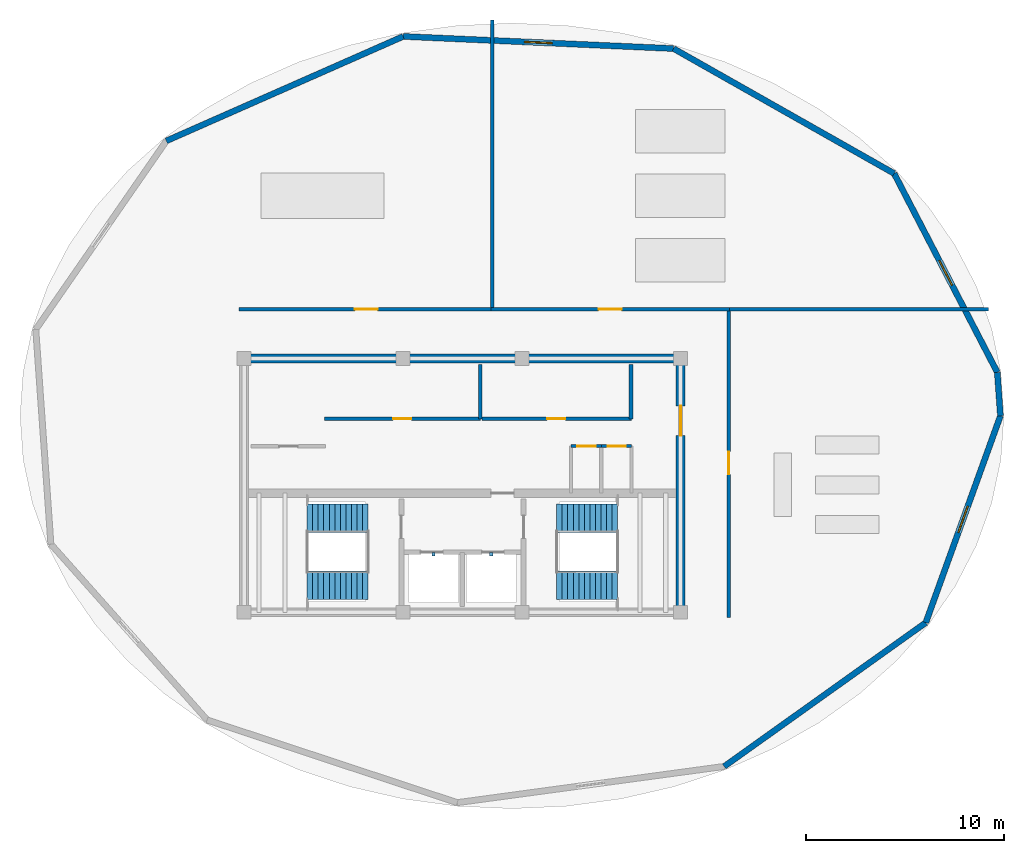
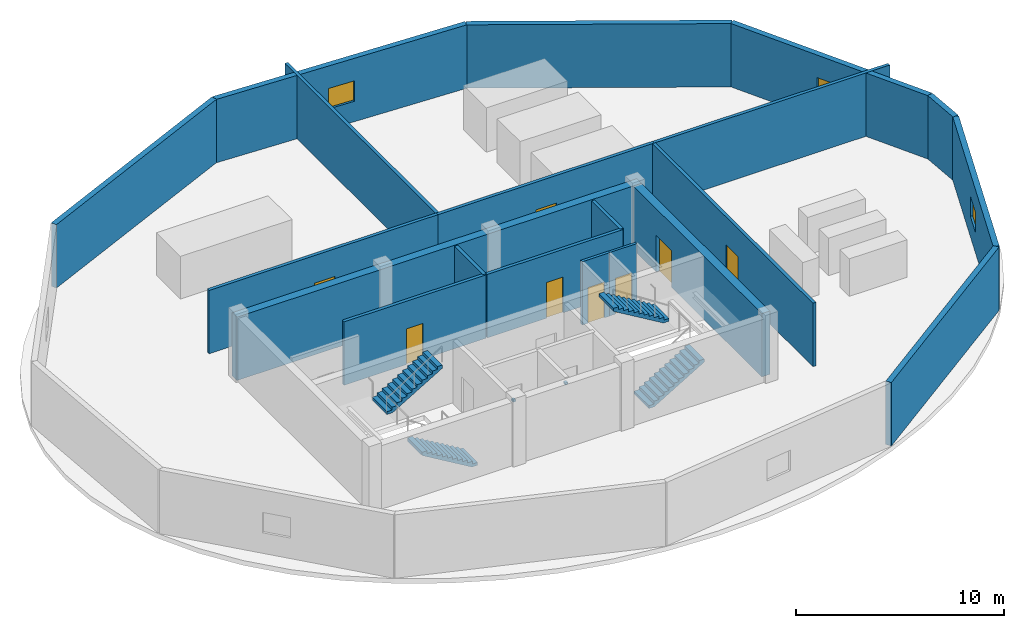
# One storey, part 2 of 4: 20 walls, 8 doors, 4 stair flights, 3 windows, 2 discrete accessories, 11 openings, 2 elements without a shape of their own.
"""IFC4 building model written with IfcOpenShell, lengths in metres."""

from ifc_helpers import new_model, si_unit, direction, frame, frame_2d, origin, origin_2d, place, context, subcontext, project, spatial, polyline, rectangle, outline, extrude, material, layer, layer_set, type_object, element, fill, aggregate, save


model = new_model("IFC4")

# Units and contexts
model_context = context("Model", 3, precision=1e-05, world=origin(), true_north=direction((0.0, 1.0)))
body_context = subcontext(model_context, "Body", "Model", "MODEL_VIEW")
ifc_project = project(units=[si_unit("LENGTHUNIT", "METRE"), si_unit("AREAUNIT", "SQUARE_METRE"), si_unit("VOLUMEUNIT", "CUBIC_METRE"), si_unit("PLANEANGLEUNIT", "RADIAN"), si_unit("MASSUNIT", "GRAM", prefix="KILO")], contexts=[model_context])

# Site, building, storey
site_placement = place(None, origin())
site = spatial("IfcSite", under=ifc_project, at=site_placement, CompositionType="ELEMENT")
building_placement = place(site_placement, origin())
building = spatial("IfcBuilding", under=site, at=building_placement, Name="Kazevale Care Tower and Concert Hall", CompositionType="ELEMENT")
storey_placement = place(building_placement, frame((0.0, 0.0, 300.800048828125)))
storey = spatial("IfcBuildingStorey", under=building, at=storey_placement, Name="L79", CompositionType="ELEMENT", Elevation=300.800048828125)

# Wall, opening, door
ifc_material_1 = material(Name="Acoustic Gypsum on Steel Stud", Category="steel")
ifc_layer_1 = layer(ifc_material_1, 0.139892578125)
ifc_layer_set_1 = layer_set([ifc_layer_1], Name="Acoustic Gypsum on Steel Stud")
wall_type_1 = type_object("IfcWallType", Name="Acoustic Care & Suite Partition 140", PredefinedType="PARTITIONING", material=ifc_layer_set_1)
wall_1_placement = place(storey_placement, frame((40.0, 31.97998046875, 0.0), z_axis=(0.0, 0.0, 1.0), x_axis=(1.0, 0.0, 0.0)))
wall_1 = element("IfcWall", 1, at=wall_1_placement, inside=storey, type_object=wall_type_1, Name="wall:L79:ka_en2", PredefinedType="PARTITIONING", context=body_context, shape_type="SweptSolid", body=[
    extrude(rectangle(XDim=1.52001953125, YDim=0.139892578125, at=frame_2d((0.760009765625, 0.0))), origin(), (0.0, 0.0, 1.0), 3.719970703125),
])
opening_1_placement = place(wall_1_placement, frame((0.320068359375, 0.0, 0.0)))
opening_1 = element("IfcOpeningElement", 2, at=opening_1_placement, cuts=wall_1, Name="Opening ID-900", PredefinedType="OPENING", context=body_context, shape_type="SweptSolid", body=[
    extrude(rectangle(XDim=0.919921875, YDim=2.10009765625, at=frame_2d((0.4599609375, 1.050048828125))), frame((0.0, 0.079833984375, 0.0), z_axis=(0.0, -1.0, 0.0), x_axis=(1.0, 0.0, 0.0)), (0.0, 0.0, 1.0), 0.159912109375),
])
ifc_material_2 = material(Name="Oak Timber Fire Leaf", Category="wood")
door_type_1 = type_object("IfcDoorType", Name="Bathroom & Service Door 920x2100", OperationType="NOTDEFINED", PredefinedType="DOOR", material=ifc_material_2)
door_1_placement = place(opening_1_placement, origin())
door_1 = element("IfcDoor", 3, at=door_1_placement, inside=storey, type_object=door_type_1, Name="door:L79:d_kae2", OperationType="SINGLE_SWING_RIGHT", OverallHeight=2.10009765625, OverallWidth=0.919921875, PredefinedType="DOOR", context=body_context, shape_type="SweptSolid", body=[
    extrude(rectangle(XDim=0.919921875, YDim=2.10009765625, at=frame_2d((0.4599609375, 1.050048828125))), frame((0.0, 0.02490234375, 0.0), z_axis=(0.0, -1.0, 0.0), x_axis=(1.0, 0.0, 0.0)), (0.0, 0.0, 1.0), 0.050048828125),
])
fill(opening_1, door_1)

# Wall
ifc_material_3 = material(Name="Concrete C50", Category="concrete")
ifc_layer_2 = layer(ifc_material_3, 0.449951171875)
ifc_layer_set_2 = layer_set([ifc_layer_2], Name="Concrete C50")
wall_type_2 = type_object("IfcWallType", Name="Core Shear Wall 450 C50", PredefinedType="SHEAR", material=ifc_layer_set_2)
wall_2_placement = place(storey_placement, frame((21.77490234375, 36.39990234375, 0.0), z_axis=(0.0, 0.0, 1.0), x_axis=(1.0, 0.0, 0.0)))
element("IfcWall", 4, at=wall_2_placement, inside=storey, type_object=wall_type_2, Name="wall:L79:core:N", PredefinedType="SHEAR", context=body_context, shape_type="SweptSolid", body=[
    extrude(rectangle(XDim=22.4501953125, YDim=0.449951171875, at=frame_2d((11.22509765625, 0.0))), origin(), (0.0, 0.0, 1.0), 3.719970703125),
])

# Wall, opening, door
wall_3_placement = place(storey_placement, frame((44.0, 23.824951171875, 0.0), z_axis=(0.0, 0.0, 1.0), x_axis=(0.0, 1.0, 0.0)))
wall_3 = element("IfcWall", 5, at=wall_3_placement, inside=storey, type_object=wall_type_2, Name="wall:L79:core:E", PredefinedType="SHEAR", context=body_context, shape_type="SweptSolid", body=[
    extrude(rectangle(XDim=12.35009765625, YDim=0.449951171875, at=frame_2d((6.175048828125, 0.0))), origin(), (0.0, 0.0, 1.0), 3.719970703125),
])
opening_2_placement = place(wall_3_placement, frame((8.675048828125, 0.0, 0.0)))
opening_2 = element("IfcOpeningElement", 6, at=opening_2_placement, cuts=wall_3, Name="Opening FD-60D", PredefinedType="OPENING", context=body_context, shape_type="SweptSolid", body=[
    extrude(rectangle(XDim=1.5, YDim=2.14990234375, at=frame_2d((0.75, 1.074951171875))), frame((0.0, 0.23486328125, 0.0), z_axis=(0.0, -1.0, 0.0), x_axis=(1.0, 0.0, 0.0)), (0.0, 0.0, 1.0), 0.469970703125),
])
door_type_2 = type_object("IfcDoorType", Name="Double Lobby & Auditorium Fire Door 1500x2150", OperationType="NOTDEFINED", PredefinedType="DOOR", material=ifc_material_2)
door_2_placement = place(opening_2_placement, origin())
door_2 = element("IfcDoor", 7, at=door_2_placement, inside=storey, type_object=door_type_2, Name="door:L79:core_east_out", OperationType="DOUBLE_DOOR_SINGLE_SWING", OverallHeight=2.14990234375, OverallWidth=1.5, PredefinedType="DOOR", context=body_context, shape_type="SweptSolid", body=[
    extrude(rectangle(XDim=1.5, YDim=2.14990234375, at=frame_2d((0.75, 1.074951171875))), frame((0.0, 0.02490234375, 0.0), z_axis=(0.0, -1.0, 0.0), x_axis=(1.0, 0.0, 0.0)), (0.0, 0.0, 1.0), 0.050048828125),
])
fill(opening_2, door_2)

# Wall, opening, window
ifc_material_4 = material(Name="Concrete C40 with Honed Limestone Cladding", Category="masonry")
ifc_layer_3 = layer(ifc_material_4, 0.300048828125)
ifc_layer_set_3 = layer_set([ifc_layer_3], Name="Concrete C40 with Honed Limestone Cladding")
wall_type_3 = type_object("IfcWallType", Name="Crown Drum Louvred Stone Wall 300", PredefinedType="STANDARD", material=ifc_layer_set_3)
wall_4_placement = place(storey_placement, frame((60.1201171875, 33.5, 0.0), z_axis=(0.0, 0.0, 1.0), x_axis=(-0.339587618367, -0.940574425259, 0.0)))
wall_4 = element("IfcWall", 8, at=wall_4_placement, inside=storey, type_object=wall_type_3, Name="wall:L79:drum:01", PredefinedType="STANDARD", context=body_context, shape_type="SweptSolid", body=[
    extrude(rectangle(XDim=11.08154296875, YDim=0.300048828125, at=frame_2d((5.540771484375, 0.0))), origin(), (0.0, 0.0, 1.0), 3.719970703125),
])
opening_3_placement = place(wall_4_placement, frame((4.841064453125, 0.0, 1.199951171875)))
opening_3 = element("IfcOpeningElement", 9, at=opening_3_placement, cuts=wall_4, Name="Opening WIN-4", PredefinedType="OPENING", context=body_context, shape_type="SweptSolid", body=[
    extrude(rectangle(XDim=1.39990234375, YDim=1.199951171875, at=frame_2d((0.699951171875, 0.60009765625))), frame((0.0, 0.159912109375, 0.0), z_axis=(0.0, -1.0, 0.0), x_axis=(1.0, 0.0, 0.0)), (0.0, 0.0, 1.0), 0.320068359375),
])
ifc_material_5 = material(Name="Aluminium 6063-T6", Category="aluminium")
window_type = type_object("IfcWindowType", Name="Crown Plant Louvred Window 1400x1200", PartitioningType="SINGLE_PANEL", PredefinedType="WINDOW", material=ifc_material_5)
window_1_placement = place(opening_3_placement, origin())
window_1 = element("IfcWindow", 10, at=window_1_placement, inside=storey, type_object=window_type, Name="win:L79:drum:01", OverallHeight=1.199951171875, OverallWidth=1.39990234375, PartitioningType="SINGLE_PANEL", PredefinedType="WINDOW", context=body_context, shape_type="SweptSolid", body=[
    extrude(rectangle(XDim=1.39990234375, YDim=1.199951171875, at=frame_2d((0.699951171875, 0.60009765625))), frame((0.0, 0.030029296875, 0.0), z_axis=(0.0, -1.0, 0.0), x_axis=(1.0, 0.0, 0.0)), (0.0, 0.0, 1.0), 0.06005859375),
])
fill(opening_3, window_1)

# Walls
wall_5_placement = place(storey_placement, frame((56.35693359375, 23.076904296875, 0.0), z_axis=(0.0, 0.0, 1.0), x_axis=(-0.814111303181, -0.580708865123, 0.0)))
element("IfcWall", 11, at=wall_5_placement, inside=storey, type_object=wall_type_3, Name="wall:L79:drum:02", PredefinedType="STANDARD", context=body_context, shape_type="SweptSolid", body=[
    extrude(rectangle(XDim=12.48095703125, YDim=0.300048828125, at=frame_2d((6.240478515625, 0.0))), origin(), (0.0, 0.0, 1.0), 3.719970703125),
])
wall_6_placement = place(storey_placement, frame((18.075927734375, 47.360107421875, 0.0), z_axis=(0.0, 0.0, 1.0), x_axis=(0.914943001047, 0.40358308294, 0.0)))
element("IfcWall", 12, at=wall_6_placement, inside=storey, type_object=wall_type_3, Name="wall:L79:drum:08", PredefinedType="STANDARD", context=body_context, shape_type="SweptSolid", body=[
    extrude(rectangle(XDim=13.0478515625, YDim=0.300048828125, at=frame_2d((6.52392578125, 0.0))), origin(), (0.0, 0.0, 1.0), 3.719970703125),
])

# Wall, opening, window
wall_7_placement = place(storey_placement, frame((30.013916015625, 52.6259765625, 0.0), z_axis=(0.0, 0.0, 1.0), x_axis=(0.998996211569, -0.04479474602, 0.0)))
wall_7 = element("IfcWall", 13, at=wall_7_placement, inside=storey, type_object=wall_type_3, Name="wall:L79:drum:09", PredefinedType="STANDARD", context=body_context, shape_type="SweptSolid", body=[
    extrude(rectangle(XDim=13.641845703125, YDim=0.300048828125, at=frame_2d((6.82080078125, 0.0))), origin(), (0.0, 0.0, 1.0), 3.719970703125),
])
opening_4_placement = place(wall_7_placement, frame((6.12109375, 0.0, 1.199951171875)))
opening_4 = element("IfcOpeningElement", 14, at=opening_4_placement, cuts=wall_7, Name="Opening WIN-4", PredefinedType="OPENING", context=body_context, shape_type="SweptSolid", body=[
    extrude(rectangle(XDim=1.39990234375, YDim=1.199951171875, at=frame_2d((0.699951171875, 0.60009765625))), frame((0.0, 0.159912109375, 0.0), z_axis=(0.0, -1.0, 0.0), x_axis=(1.0, 0.0, 0.0)), (0.0, 0.0, 1.0), 0.320068359375),
])
window_2_placement = place(opening_4_placement, origin())
window_2 = element("IfcWindow", 15, at=window_2_placement, inside=storey, type_object=window_type, Name="win:L79:drum:09", OverallHeight=1.199951171875, OverallWidth=1.39990234375, PartitioningType="SINGLE_PANEL", PredefinedType="WINDOW", context=body_context, shape_type="SweptSolid", body=[
    extrude(rectangle(XDim=1.39990234375, YDim=1.199951171875, at=frame_2d((0.699951171875, 0.60009765625))), frame((0.0, 0.030029296875, 0.0), z_axis=(0.0, -1.0, 0.0), x_axis=(1.0, 0.0, 0.0)), (0.0, 0.0, 1.0), 0.06005859375),
])
fill(opening_4, window_2)

# Wall
wall_8_placement = place(storey_placement, frame((43.64208984375, 52.014892578125, 0.0), z_axis=(0.0, 0.0, 1.0), x_axis=(0.870169378253, -0.492752730232, 0.0)))
element("IfcWall", 16, at=wall_8_placement, inside=storey, type_object=wall_type_3, Name="wall:L79:drum:10", PredefinedType="STANDARD", context=body_context, shape_type="SweptSolid", body=[
    extrude(rectangle(XDim=12.779052734375, YDim=0.300048828125, at=frame_2d((6.3896484375, 0.0))), origin(), (0.0, 0.0, 1.0), 3.719970703125),
])

# Wall, opening, window
wall_9_placement = place(storey_placement, frame((54.761962890625, 45.718017578125, 0.0), z_axis=(0.0, 0.0, 1.0), x_axis=(0.460623742834, -0.8875954977, 0.0)))
wall_9 = element("IfcWall", 17, at=wall_9_placement, inside=storey, type_object=wall_type_3, Name="wall:L79:drum:11", PredefinedType="STANDARD", context=body_context, shape_type="SweptSolid", body=[
    extrude(rectangle(XDim=11.2958984375, YDim=0.300048828125, at=frame_2d((5.64794921875, 0.0))), origin(), (0.0, 0.0, 1.0), 3.719970703125),
])
opening_5_placement = place(wall_9_placement, frame((4.947998046875, 0.0, 1.199951171875)))
opening_5 = element("IfcOpeningElement", 18, at=opening_5_placement, cuts=wall_9, Name="Opening WIN-4", PredefinedType="OPENING", context=body_context, shape_type="SweptSolid", body=[
    extrude(rectangle(XDim=1.39990234375, YDim=1.199951171875, at=frame_2d((0.699951171875, 0.60009765625))), frame((0.0, 0.159912109375, 0.0), z_axis=(0.0, -1.0, 0.0), x_axis=(1.0, 0.0, 0.0)), (0.0, 0.0, 1.0), 0.320068359375),
])
window_3_placement = place(opening_5_placement, origin())
window_3 = element("IfcWindow", 19, at=window_3_placement, inside=storey, type_object=window_type, Name="win:L79:drum:11", OverallHeight=1.199951171875, OverallWidth=1.39990234375, PartitioningType="SINGLE_PANEL", PredefinedType="WINDOW", context=body_context, shape_type="SweptSolid", body=[
    extrude(rectangle(XDim=1.39990234375, YDim=1.199951171875, at=frame_2d((0.699951171875, 0.60009765625))), frame((0.0, 0.030029296875, 0.0), z_axis=(0.0, -1.0, 0.0), x_axis=(1.0, 0.0, 0.0)), (0.0, 0.0, 1.0), 0.06005859375),
])
fill(opening_5, window_3)

# Wall
wall_10_placement = place(storey_placement, frame((59.965087890625, 35.69189453125, 0.0), z_axis=(0.0, 0.0, 1.0), x_axis=(0.070552198309, -0.997508088846, 0.0)))
element("IfcWall", 20, at=wall_10_placement, inside=storey, type_object=wall_type_3, Name="wall:L79:drum:12", PredefinedType="STANDARD", context=body_context, shape_type="SweptSolid", body=[
    extrude(rectangle(XDim=2.197265625, YDim=0.300048828125, at=frame_2d((1.0986328125, 0.0))), origin(), (0.0, 0.0, 1.0), 3.719970703125),
])

# Wall, opening, door
ifc_material_6 = material(Name="Concrete C40 and Acoustic Gypsum", Category="concrete")
ifc_layer_4 = layer(ifc_material_6, 0.179931640625)
ifc_layer_set_4 = layer_set([ifc_layer_4], Name="Concrete C40 and Acoustic Gypsum")
wall_type_4 = type_object("IfcWallType", Name="Fire-Rated Corridor & Party Wall 180", PredefinedType="PARTITIONING", material=ifc_layer_set_4)
wall_11_placement = place(storey_placement, frame((26.050048828125, 33.35009765625, 0.0), z_axis=(0.0, 0.0, 1.0), x_axis=(1.0, 0.0, 0.0)))
wall_11 = element("IfcWall", 21, at=wall_11_placement, inside=storey, type_object=wall_type_4, Name="wall:L79:c_cps_s", PredefinedType="PARTITIONING", context=body_context, shape_type="SweptSolid", body=[
    extrude(rectangle(XDim=7.869873046875, YDim=0.179931640625, at=frame_2d((3.93505859375, 0.0))), origin(), (0.0, 0.0, 1.0), 3.719970703125),
])
opening_6_placement = place(wall_11_placement, frame((3.4599609375, 0.0, 0.0)))
opening_6 = element("IfcOpeningElement", 22, at=opening_6_placement, cuts=wall_11, Name="Opening ID-900", PredefinedType="OPENING", context=body_context, shape_type="SweptSolid", body=[
    extrude(rectangle(XDim=0.919921875, YDim=2.10009765625, at=frame_2d((0.4599609375, 1.050048828125))), frame((0.0, 0.099853515625, 0.0), z_axis=(0.0, -1.0, 0.0), x_axis=(1.0, 0.0, 0.0)), (0.0, 0.0, 1.0), 0.199951171875),
])
door_3_placement = place(opening_6_placement, origin())
door_3 = element("IfcDoor", 23, at=door_3_placement, inside=storey, type_object=door_type_1, Name="door:L79:d_cps", OperationType="SINGLE_SWING_LEFT", OverallHeight=2.10009765625, OverallWidth=0.919921875, PredefinedType="DOOR", context=body_context, shape_type="SweptSolid", body=[
    extrude(rectangle(XDim=0.919921875, YDim=2.10009765625, at=frame_2d((0.4599609375, 1.050048828125))), frame((0.0, 0.02490234375, 0.0), z_axis=(0.0, -1.0, 0.0), x_axis=(1.0, 0.0, 0.0)), (0.0, 0.0, 1.0), 0.050048828125),
])
fill(opening_6, door_3)

# Wall
wall_12_placement = place(storey_placement, frame((33.89990234375, 33.35009765625, 0.0), z_axis=(0.0, 0.0, 1.0), x_axis=(0.0, 1.0, 0.0)))
element("IfcWall", 24, at=wall_12_placement, inside=storey, type_object=wall_type_4, Name="wall:L79:c_cps_e", PredefinedType="PARTITIONING", context=body_context, shape_type="SweptSolid", body=[
    extrude(rectangle(XDim=2.75, YDim=0.179931640625, at=frame_2d((1.375, 0.0))), origin(), (0.0, 0.0, 1.0), 3.719970703125),
])

# Wall, opening, door
wall_13_placement = place(storey_placement, frame((33.97998046875, 33.35009765625, 0.0), z_axis=(0.0, 0.0, 1.0), x_axis=(1.0, 0.0, 0.0)))
wall_13 = element("IfcWall", 25, at=wall_13_placement, inside=storey, type_object=wall_type_4, Name="wall:L79:c_pma_s", PredefinedType="PARTITIONING", context=body_context, shape_type="SweptSolid", body=[
    extrude(rectangle(XDim=7.5400390625, YDim=0.179931640625, at=frame_2d((3.77001953125, 0.0))), origin(), (0.0, 0.0, 1.0), 3.719970703125),
])
opening_7_placement = place(wall_13_placement, frame((3.294921875, 0.0, 0.0)))
opening_7 = element("IfcOpeningElement", 26, at=opening_7_placement, cuts=wall_13, Name="Opening ID-900", PredefinedType="OPENING", context=body_context, shape_type="SweptSolid", body=[
    extrude(rectangle(XDim=0.919921875, YDim=2.10009765625, at=frame_2d((0.4599609375, 1.050048828125))), frame((0.0, 0.099853515625, 0.0), z_axis=(0.0, -1.0, 0.0), x_axis=(1.0, 0.0, 0.0)), (0.0, 0.0, 1.0), 0.199951171875),
])
door_4_placement = place(opening_7_placement, origin())
door_4 = element("IfcDoor", 27, at=door_4_placement, inside=storey, type_object=door_type_1, Name="door:L79:d_pma", OperationType="SINGLE_SWING_LEFT", OverallHeight=2.10009765625, OverallWidth=0.919921875, PredefinedType="DOOR", context=body_context, shape_type="SweptSolid", body=[
    extrude(rectangle(XDim=0.919921875, YDim=2.10009765625, at=frame_2d((0.4599609375, 1.050048828125))), frame((0.0, 0.02490234375, 0.0), z_axis=(0.0, -1.0, 0.0), x_axis=(1.0, 0.0, 0.0)), (0.0, 0.0, 1.0), 0.050048828125),
])
fill(opening_7, door_4)

# Wall
wall_14_placement = place(storey_placement, frame((41.5, 33.35009765625, 0.0), z_axis=(0.0, 0.0, 1.0), x_axis=(0.0, 1.0, 0.0)))
element("IfcWall", 28, at=wall_14_placement, inside=storey, type_object=wall_type_4, Name="wall:L79:c_pma_e", PredefinedType="PARTITIONING", context=body_context, shape_type="SweptSolid", body=[
    extrude(rectangle(XDim=2.75, YDim=0.179931640625, at=frame_2d((1.375, 0.0))), origin(), (0.0, 0.0, 1.0), 3.719970703125),
])

# Wall, opening, door
wall_15_placement = place(storey_placement, frame((21.7451171875, 38.875, 0.0), z_axis=(0.0, 0.0, 1.0), x_axis=(1.0, 0.0, 0.0)))
wall_15 = element("IfcWall", 29, at=wall_15_placement, inside=storey, type_object=wall_type_4, Name="wall:L79:auto_001", PredefinedType="PARTITIONING", context=body_context, shape_type="SweptSolid", body=[
    extrude(rectangle(XDim=12.81982421875, YDim=0.179931640625, at=frame_2d((6.409912109375, 0.0))), origin(), (0.0, 0.0, 1.0), 3.719970703125),
])
opening_8_placement = place(wall_15_placement, frame((5.8349609375, 0.0, 0.0)))
opening_8 = element("IfcOpeningElement", 30, at=opening_8_placement, cuts=wall_15, Name="Opening FD-90", PredefinedType="OPENING", context=body_context, shape_type="SweptSolid", body=[
    extrude(rectangle(XDim=1.14990234375, YDim=2.10009765625, at=frame_2d((0.574951171875, 1.050048828125))), frame((0.0, 0.099853515625, 0.0), z_axis=(0.0, -1.0, 0.0), x_axis=(1.0, 0.0, 0.0)), (0.0, 0.0, 1.0), 0.199951171875),
])
ifc_material_7 = material(Name="Steel ASTM A572 Gr 50", Category="steel")
door_type_3 = type_object("IfcDoorType", Name="Pressurized Stair & Lobby Fire Door 1150x2100", OperationType="NOTDEFINED", PredefinedType="DOOR", material=ifc_material_7)
door_5_placement = place(opening_8_placement, origin())
door_5 = element("IfcDoor", 31, at=door_5_placement, inside=storey, type_object=door_type_3, Name="door:L79:ad_001", OperationType="SINGLE_SWING_LEFT", OverallHeight=2.10009765625, OverallWidth=1.14990234375, PredefinedType="DOOR", context=body_context, shape_type="SweptSolid", body=[
    extrude(rectangle(XDim=1.14990234375, YDim=2.10009765625, at=frame_2d((0.574951171875, 1.050048828125))), frame((0.0, 0.02490234375, 0.0), z_axis=(0.0, -1.0, 0.0), x_axis=(1.0, 0.0, 0.0)), (0.0, 0.0, 1.0), 0.050048828125),
])
fill(opening_8, door_5)

wall_16_placement = place(storey_placement, frame((34.43505859375, 38.875, 0.0), z_axis=(0.0, 0.0, 1.0), x_axis=(1.0, 0.0, 0.0)))
wall_16 = element("IfcWall", 32, at=wall_16_placement, inside=storey, type_object=wall_type_4, Name="wall:L79:auto_002", PredefinedType="PARTITIONING", context=body_context, shape_type="SweptSolid", body=[
    extrude(rectangle(XDim=12.02001953125, YDim=0.179931640625, at=frame_2d((6.010009765625, 0.0))), origin(), (0.0, 0.0, 1.0), 3.719970703125),
])
opening_9_placement = place(wall_16_placement, frame((5.43505859375, 0.0, 0.0)))
opening_9 = element("IfcOpeningElement", 33, at=opening_9_placement, cuts=wall_16, Name="Opening FD-90", PredefinedType="OPENING", context=body_context, shape_type="SweptSolid", body=[
    extrude(rectangle(XDim=1.14990234375, YDim=2.10009765625, at=frame_2d((0.574951171875, 1.050048828125))), frame((0.0, 0.099853515625, 0.0), z_axis=(0.0, -1.0, 0.0), x_axis=(1.0, 0.0, 0.0)), (0.0, 0.0, 1.0), 0.199951171875),
])
door_6_placement = place(opening_9_placement, origin())
door_6 = element("IfcDoor", 34, at=door_6_placement, inside=storey, type_object=door_type_3, Name="door:L79:ad_002", OperationType="SINGLE_SWING_LEFT", OverallHeight=2.10009765625, OverallWidth=1.14990234375, PredefinedType="DOOR", context=body_context, shape_type="SweptSolid", body=[
    extrude(rectangle(XDim=1.14990234375, YDim=2.10009765625, at=frame_2d((0.574951171875, 1.050048828125))), frame((0.0, 0.02490234375, 0.0), z_axis=(0.0, -1.0, 0.0), x_axis=(1.0, 0.0, 0.0)), (0.0, 0.0, 1.0), 0.050048828125),
])
fill(opening_9, door_6)

wall_17_placement = place(storey_placement, frame((46.425048828125, 38.905029296875, 0.0), z_axis=(0.0, 0.0, 1.0), x_axis=(0.0, -1.0, 0.0)))
wall_17 = element("IfcWall", 35, at=wall_17_placement, inside=storey, type_object=wall_type_4, Name="wall:L79:auto_003", PredefinedType="PARTITIONING", context=body_context, shape_type="SweptSolid", body=[
    extrude(rectangle(XDim=15.56005859375, YDim=0.179931640625, at=frame_2d((7.780029296875, 0.0))), origin(), (0.0, 0.0, 1.0), 3.719970703125),
])
opening_10_placement = place(wall_17_placement, frame((7.205078125, 0.0, 0.0)))
opening_10 = element("IfcOpeningElement", 36, at=opening_10_placement, cuts=wall_17, Name="Opening FD-90", PredefinedType="OPENING", context=body_context, shape_type="SweptSolid", body=[
    extrude(rectangle(XDim=1.14990234375, YDim=2.10009765625, at=frame_2d((0.574951171875, 1.050048828125))), frame((0.0, 0.099853515625, 0.0), z_axis=(0.0, -1.0, 0.0), x_axis=(1.0, 0.0, 0.0)), (0.0, 0.0, 1.0), 0.199951171875),
])
door_7_placement = place(opening_10_placement, origin())
door_7 = element("IfcDoor", 37, at=door_7_placement, inside=storey, type_object=door_type_3, Name="door:L79:ad_003", OperationType="SINGLE_SWING_LEFT", OverallHeight=2.10009765625, OverallWidth=1.14990234375, PredefinedType="DOOR", context=body_context, shape_type="SweptSolid", body=[
    extrude(rectangle(XDim=1.14990234375, YDim=2.10009765625, at=frame_2d((0.574951171875, 1.050048828125))), frame((0.0, 0.02490234375, 0.0), z_axis=(0.0, -1.0, 0.0), x_axis=(1.0, 0.0, 0.0)), (0.0, 0.0, 1.0), 0.050048828125),
])
fill(opening_10, door_7)

# Walls
wall_18_placement = place(storey_placement, frame((34.5, 53.455078125, 0.0), z_axis=(0.0, 0.0, 1.0), x_axis=(0.0, -1.0, 0.0)))
element("IfcWall", 38, at=wall_18_placement, inside=storey, type_object=wall_type_4, Name="wall:L79:auto_004", PredefinedType="PARTITIONING", context=body_context, shape_type="SweptSolid", body=[
    extrude(rectangle(XDim=14.610107421875, YDim=0.179931640625, at=frame_2d((7.30517578125, 0.0))), origin(), (0.0, 0.0, 1.0), 3.719970703125),
])
wall_19_placement = place(storey_placement, frame((59.51708984375, 38.875, 0.0), z_axis=(0.0, 0.0, 1.0), x_axis=(-1.0, 0.0, 0.0)))
element("IfcWall", 39, at=wall_19_placement, inside=storey, type_object=wall_type_4, Name="wall:L79:auto_005", PredefinedType="PARTITIONING", context=body_context, shape_type="SweptSolid", body=[
    extrude(rectangle(XDim=13.156982421875, YDim=0.179931640625, at=frame_2d((6.57861328125, 0.0))), origin(), (0.0, 0.0, 1.0), 3.719970703125),
])

# Wall, opening, door
ifc_layer_5 = layer(ifc_material_1, 0.159912109375)
ifc_layer_set_5 = layer_set([ifc_layer_5], Name="Acoustic Gypsum on Steel Stud")
wall_type_5 = type_object("IfcWallType", Name="Moisture-Resistant Bathroom Plumbing Wall 160", PredefinedType="PLUMBINGWALL", material=ifc_layer_set_5)
wall_20_placement = place(storey_placement, frame((38.47998046875, 31.97998046875, 0.0), z_axis=(0.0, 0.0, 1.0), x_axis=(1.0, 0.0, 0.0)))
wall_20 = element("IfcWall", 40, at=wall_20_placement, inside=storey, type_object=wall_type_5, Name="wall:L79:ka_en1", PredefinedType="PLUMBINGWALL", context=body_context, shape_type="SweptSolid", body=[
    extrude(rectangle(XDim=1.52001953125, YDim=0.159912109375, at=frame_2d((0.760009765625, 0.0))), origin(), (0.0, 0.0, 1.0), 3.719970703125),
])
opening_11_placement = place(wall_20_placement, frame((0.320068359375, 0.0, 0.0)))
opening_11 = element("IfcOpeningElement", 41, at=opening_11_placement, cuts=wall_20, Name="Opening ID-900", PredefinedType="OPENING", context=body_context, shape_type="SweptSolid", body=[
    extrude(rectangle(XDim=0.919921875, YDim=2.10009765625, at=frame_2d((0.4599609375, 1.050048828125))), frame((0.0, 0.08984375, 0.0), z_axis=(0.0, -1.0, 0.0), x_axis=(1.0, 0.0, 0.0)), (0.0, 0.0, 1.0), 0.179931640625),
])
door_8_placement = place(opening_11_placement, origin())
door_8 = element("IfcDoor", 42, at=door_8_placement, inside=storey, type_object=door_type_1, Name="door:L79:d_kae1", OperationType="SINGLE_SWING_LEFT", OverallHeight=2.10009765625, OverallWidth=0.919921875, PredefinedType="DOOR", context=body_context, shape_type="SweptSolid", body=[
    extrude(rectangle(XDim=0.919921875, YDim=2.10009765625, at=frame_2d((0.4599609375, 1.050048828125))), frame((0.0, 0.02490234375, 0.0), z_axis=(0.0, -1.0, 0.0), x_axis=(1.0, 0.0, 0.0)), (0.0, 0.0, 1.0), 0.050048828125),
])
fill(opening_11, door_8)

# Stair, stair flights
ifc_material_8 = material(Name="Concrete C40", Category="concrete")
stair_type = type_object("IfcStairType", Name="Exit Stair Assembly ST1-C", PredefinedType="HALF_TURN_STAIR", material=ifc_material_8)
stair_1_placement = place(storey_placement, origin())
stair_1 = element("IfcStair", 43, at=stair_1_placement, inside=storey, type_object=stair_type, Name="stair:L79:ST1", PredefinedType="HALF_TURN_STAIR")
ifc_layer_6 = layer(ifc_material_8, 0.159912109375)
ifc_layer_set_6 = layer_set([ifc_layer_6], Name="Concrete C40")
stair_flight_type = type_object("IfcStairFlightType", Name="Exit Stair Flight ST1-C", PredefinedType="STRAIGHT", material=ifc_layer_set_6)
stair_flight_1_placement = place(storey_placement, frame((28.25, 24.9599609375, 0.0), z_axis=(0.0, 0.0, 1.0), x_axis=(-1.0, 0.0, 0.0)))
stair_flight_1 = element("IfcStairFlight", 44, at=stair_flight_1_placement, type_object=stair_flight_type, Name="ST1-C flight 1", NumberOfRisers=12, NumberOfTreads=11, PredefinedType="STRAIGHT", RiserHeight=0.166667, TreadLength=0.28, context=body_context, shape_type="SweptSolid", body=[
    extrude(outline(polyline([(0.0, 0.0), (0.0, 0.166748046875), (0.280029296875, 0.166748046875), (0.280029296875, 0.333251953125), (0.56005859375, 0.333251953125), (0.56005859375, 0.5), (0.840087890625, 0.5), (0.840087890625, 0.666748046875), (1.1201171875, 0.666748046875), (1.1201171875, 0.833251953125), (1.39990234375, 0.833251953125), (1.39990234375, 1.0), (1.679931640625, 1.0), (1.679931640625, 1.166748046875), (1.9599609375, 1.166748046875), (1.9599609375, 1.333251953125), (2.239990234375, 1.333251953125), (2.239990234375, 1.5), (2.52001953125, 1.5), (2.52001953125, 1.666748046875), (2.800048828125, 1.666748046875), (2.800048828125, 1.833251953125), (3.080078125, 1.833251953125), (3.080078125, 2.0), (3.080078125, 1.647216796875), (0.312744140625, 0.0), (0.0, 0.0)])), frame((0.0, 0.7099609375, 0.0), z_axis=(0.0, -1.0, 0.0), x_axis=(1.0, 0.0, 0.0)), (0.0, 0.0, 1.0), 1.419921875),
])
stair_flight_2_placement = place(storey_placement, frame((25.169921875, 28.340087890625, 2.0), z_axis=(0.0, 0.0, 1.0), x_axis=(1.0, 0.0, 0.0)))
stair_flight_2 = element("IfcStairFlight", 45, at=stair_flight_2_placement, type_object=stair_flight_type, Name="ST1-C flight 2", NumberOfRisers=12, NumberOfTreads=11, PredefinedType="STRAIGHT", RiserHeight=0.166667, TreadLength=0.28, context=body_context, shape_type="SweptSolid", body=[
    extrude(outline(polyline([(0.0, 0.0), (0.0, 0.166748046875), (0.280029296875, 0.166748046875), (0.280029296875, 0.333251953125), (0.56005859375, 0.333251953125), (0.56005859375, 0.5), (0.840087890625, 0.5), (0.840087890625, 0.666748046875), (1.1201171875, 0.666748046875), (1.1201171875, 0.833251953125), (1.39990234375, 0.833251953125), (1.39990234375, 1.0), (1.679931640625, 1.0), (1.679931640625, 1.166748046875), (1.9599609375, 1.166748046875), (1.9599609375, 1.333251953125), (2.239990234375, 1.333251953125), (2.239990234375, 1.5), (2.52001953125, 1.5), (2.52001953125, 1.666748046875), (2.800048828125, 1.666748046875), (2.800048828125, 1.833251953125), (3.080078125, 1.833251953125), (3.080078125, 2.0), (3.080078125, 1.647216796875), (0.312744140625, 0.0), (0.0, 0.0)])), frame((0.0, 0.7099609375, 0.0), z_axis=(0.0, -1.0, 0.0), x_axis=(1.0, 0.0, 0.0)), (0.0, 0.0, 1.0), 1.419921875),
])
aggregate(stair_1, [stair_flight_1, stair_flight_2])

stair_2_placement = place(storey_placement, origin())
stair_2 = element("IfcStair", 46, at=stair_2_placement, inside=storey, type_object=stair_type, Name="stair:L79:ST2", PredefinedType="HALF_TURN_STAIR")
stair_flight_3_placement = place(storey_placement, frame((37.75, 24.9599609375, 0.0), z_axis=(0.0, 0.0, 1.0), x_axis=(1.0, 0.0, 0.0)))
stair_flight_3 = element("IfcStairFlight", 47, at=stair_flight_3_placement, type_object=stair_flight_type, Name="ST1-C flight 1", NumberOfRisers=12, NumberOfTreads=11, PredefinedType="STRAIGHT", RiserHeight=0.166667, TreadLength=0.28, context=body_context, shape_type="SweptSolid", body=[
    extrude(outline(polyline([(0.0, 0.0), (0.0, 0.166748046875), (0.280029296875, 0.166748046875), (0.280029296875, 0.333251953125), (0.56005859375, 0.333251953125), (0.56005859375, 0.5), (0.840087890625, 0.5), (0.840087890625, 0.666748046875), (1.1201171875, 0.666748046875), (1.1201171875, 0.833251953125), (1.39990234375, 0.833251953125), (1.39990234375, 1.0), (1.679931640625, 1.0), (1.679931640625, 1.166748046875), (1.9599609375, 1.166748046875), (1.9599609375, 1.333251953125), (2.239990234375, 1.333251953125), (2.239990234375, 1.5), (2.52001953125, 1.5), (2.52001953125, 1.666748046875), (2.800048828125, 1.666748046875), (2.800048828125, 1.833251953125), (3.080078125, 1.833251953125), (3.080078125, 2.0), (3.080078125, 1.647216796875), (0.312744140625, 0.0), (0.0, 0.0)])), frame((0.0, 0.7099609375, 0.0), z_axis=(0.0, -1.0, 0.0), x_axis=(1.0, 0.0, 0.0)), (0.0, 0.0, 1.0), 1.419921875),
])
stair_flight_4_placement = place(storey_placement, frame((40.830078125, 28.340087890625, 2.0), z_axis=(0.0, 0.0, 1.0), x_axis=(-1.0, 0.0, 0.0)))
stair_flight_4 = element("IfcStairFlight", 48, at=stair_flight_4_placement, type_object=stair_flight_type, Name="ST1-C flight 2", NumberOfRisers=12, NumberOfTreads=11, PredefinedType="STRAIGHT", RiserHeight=0.166667, TreadLength=0.28, context=body_context, shape_type="SweptSolid", body=[
    extrude(outline(polyline([(0.0, 0.0), (0.0, 0.166748046875), (0.280029296875, 0.166748046875), (0.280029296875, 0.333251953125), (0.56005859375, 0.333251953125), (0.56005859375, 0.5), (0.840087890625, 0.5), (0.840087890625, 0.666748046875), (1.1201171875, 0.666748046875), (1.1201171875, 0.833251953125), (1.39990234375, 0.833251953125), (1.39990234375, 1.0), (1.679931640625, 1.0), (1.679931640625, 1.166748046875), (1.9599609375, 1.166748046875), (1.9599609375, 1.333251953125), (2.239990234375, 1.333251953125), (2.239990234375, 1.5), (2.52001953125, 1.5), (2.52001953125, 1.666748046875), (2.800048828125, 1.666748046875), (2.800048828125, 1.833251953125), (3.080078125, 1.833251953125), (3.080078125, 2.0), (3.080078125, 1.647216796875), (0.312744140625, 0.0), (0.0, 0.0)])), frame((0.0, 0.7099609375, 0.0), z_axis=(0.0, -1.0, 0.0), x_axis=(1.0, 0.0, 0.0)), (0.0, 0.0, 1.0), 1.419921875),
])
aggregate(stair_2, [stair_flight_3, stair_flight_4])

# Discrete accessories
ifc_material_9 = material(Name="Stainless Steel 316", Category="steel")
discrete_accessory_type = type_object("IfcDiscreteAccessoryType", Name="Hoistway Guide-Rail Wall Bracket HBRK-1", PredefinedType="BRACKET", material=ifc_material_9)
for number, where, z_axis, x_axis, name in (
    (49, (31.550048828125, 26.52001953125, 1.239990234375), (0.0, 0.0, 1.0), (1.0, 0.0, 0.0), "hbrk:FFL-1:L79"),
    (50, (34.449951171875, 26.52001953125, 1.239990234375), (0.0, 0.0, 1.0), (1.0, 0.0, 0.0), "hbrk:FFL-2:L79"),
):
    element("IfcDiscreteAccessory", number, at=place(storey_placement, frame(where, z_axis=z_axis, x_axis=x_axis)), inside=storey, type_object=discrete_accessory_type, Name=name, PredefinedType="BRACKET", context=body_context, shape_type="SweptSolid", body=[
        extrude(rectangle(XDim=0.159912109375, YDim=0.179931640625, at=origin_2d()), origin(), (0.0, 0.0, 1.0), 0.1201171875),
    ])

save(model, "model.ifc")
